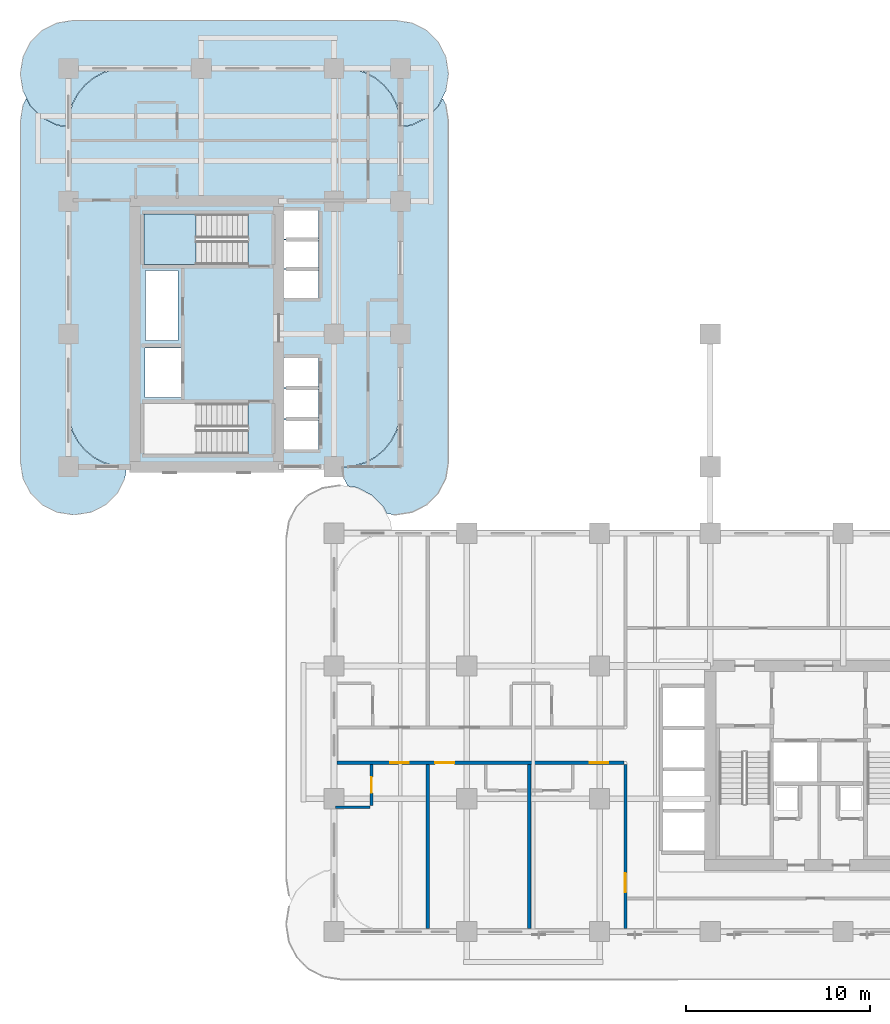
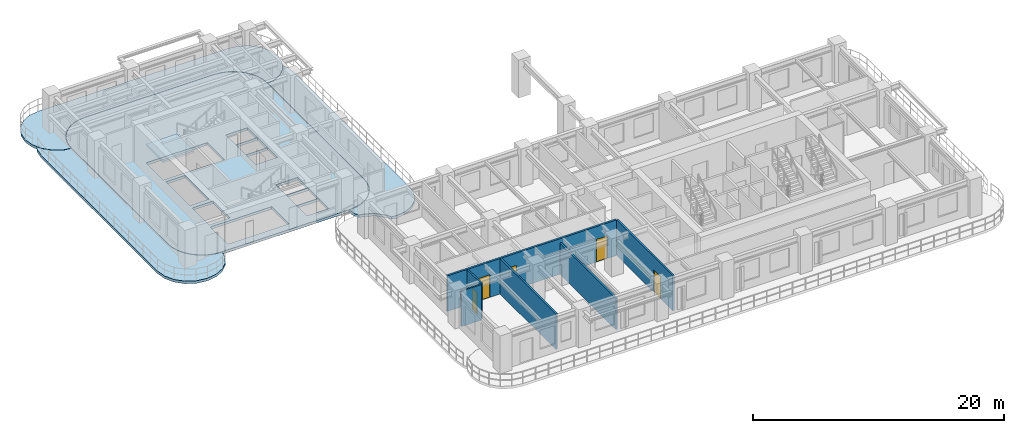
# One storey, part 6 of 19: 6 walls, 5 doors, 5 slabs, 5 openings, 1 element without a shape of its own.
"""IFC4 building model written with IfcOpenShell, lengths in metres."""

from ifc_helpers import new_model, si_unit, derived_unit, direction, frame, frame_2d, origin, place, context, subcontext, project, spatial, polyline, rectangle, outline, extrude, source, transform, mapped, material, layer, layer_set, type_object, type_shapes, element, fill, aggregate, save


model = new_model("IFC4")

# Units and contexts
model_context = context("Model", 3, precision=1e-05, world=origin(), true_north=direction((0.0, 1.0)))
body_context = subcontext(model_context, "Body", "Model", "MODEL_VIEW")
ifc_project = project(units=[si_unit("LENGTHUNIT", "METRE"), si_unit("AREAUNIT", "SQUARE_METRE"), si_unit("VOLUMEUNIT", "CUBIC_METRE"), si_unit("PLANEANGLEUNIT", "RADIAN"), si_unit("MASSUNIT", "GRAM", prefix="KILO"), si_unit("THERMODYNAMICTEMPERATUREUNIT", "KELVIN"), si_unit("POWERUNIT", "WATT"), derived_unit("THERMALTRANSMITTANCEUNIT", [(si_unit("POWERUNIT", "WATT"), 1), (si_unit("AREAUNIT", "SQUARE_METRE"), -1), (si_unit("THERMODYNAMICTEMPERATUREUNIT", "KELVIN"), -1)])], contexts=[model_context])

# Site, building, storey
site_placement = place(None, origin())
site = spatial("IfcSite", under=ifc_project, at=site_placement, CompositionType="ELEMENT")
building_placement = place(site_placement, origin())
building = spatial("IfcBuilding", under=site, at=building_placement, Name="Zahravan Archway Hotel and Residences", CompositionType="ELEMENT")
storey_placement = place(building_placement, frame((0.0, 0.0, 32.39990234375)))
storey = spatial("IfcBuildingStorey", under=building, at=storey_placement, Name="L06", CompositionType="ELEMENT", Elevation=32.39990234375)

# Slabs
ifc_material_1 = material(Name="Concrete C45/55", Category="concrete")
ifc_layer_1 = layer(ifc_material_1, 0.25, Name="Concrete C45/55", Category="concrete")
ifc_layer_set_1 = layer_set([ifc_layer_1], Name="Concrete C45/55")
slab_type_1 = type_object("IfcSlabType", Name="SLB-BALC-250", PredefinedType="FLOOR", material=ifc_layer_set_1)
slab_1_placement = place(storey_placement, frame((0.0, 0.0, -0.25)))
element("IfcSlab", 1, at=slab_1_placement, inside=storey, type_object=slab_type_1, Name="L06 Wing B North Rounded Balcony Band", PredefinedType="FLOOR", context=body_context, shape_type="SweptSolid", body=[
    extrude(outline(polyline([(-0.630615234375, 43.739501953125), (-1.42529296875, 44.144287109375), (-2.0556640625, 44.77490234375), (-2.46044921875, 45.5693359375), (-2.60009765625, 46.449951171875), (-2.60009765625, 46.550048828125), (-2.46044921875, 47.4306640625), (-2.0556640625, 48.22509765625), (-1.42529296875, 48.855712890625), (-0.630615234375, 49.260498046875), (0.25, 49.39990234375), (17.75, 49.39990234375), (18.630615234375, 49.260498046875), (19.42529296875, 48.855712890625), (20.0556640625, 48.22509765625), (20.46044921875, 47.4306640625), (20.60009765625, 46.550048828125), (20.60009765625, 46.449951171875), (20.46044921875, 45.5693359375), (20.0556640625, 44.77490234375), (19.42529296875, 44.144287109375), (18.630615234375, 43.739501953125), (18.02001953125, 43.642822265625), (18.02001953125, 43.699951171875), (18.02001953125, 43.701904296875), (17.960205078125, 44.306884765625), (17.9599609375, 44.30859375), (17.95947265625, 44.310546875), (17.783203125, 44.89208984375), (17.782470703125, 44.89404296875), (17.781494140625, 44.895751953125), (17.4951171875, 45.431640625), (17.494140625, 45.433349609375), (17.4931640625, 45.43505859375), (17.107421875, 45.90478515625), (17.106201171875, 45.906005859375), (17.104736328125, 45.907470703125), (16.635009765625, 46.293212890625), (16.63330078125, 46.294189453125), (16.631591796875, 46.295166015625), (16.095703125, 46.58154296875), (16.093994140625, 46.58251953125), (16.092041015625, 46.5830078125), (15.510498046875, 46.759521484375), (15.5087890625, 46.760009765625), (15.5068359375, 46.76025390625), (14.902099609375, 46.81982421875), (14.89990234375, 46.820068359375), (3.10009765625, 46.820068359375), (3.097900390625, 46.81982421875), (2.4931640625, 46.76025390625), (2.4912109375, 46.760009765625), (2.489501953125, 46.759521484375), (1.907958984375, 46.5830078125), (1.906005859375, 46.58251953125), (1.904296875, 46.58154296875), (1.368408203125, 46.295166015625), (1.36669921875, 46.294189453125), (1.364990234375, 46.293212890625), (0.895263671875, 45.907470703125), (0.893798828125, 45.906005859375), (0.892578125, 45.90478515625), (0.5068359375, 45.43505859375), (0.505859375, 45.433349609375), (0.5048828125, 45.431640625), (0.218505859375, 44.895751953125), (0.217529296875, 44.89404296875), (0.216796875, 44.89208984375), (0.04052734375, 44.310546875), (0.0400390625, 44.30859375), (0.039794921875, 44.306884765625), (-0.02001953125, 43.701904296875), (-0.02001953125, 43.699951171875), (-0.02001953125, 43.642822265625), (-0.630615234375, 43.739501953125)])), origin(), (0.0, 0.0, 1.0), 0.25),
])
slab_2_placement = place(storey_placement, frame((0.0, 0.0, -0.25)))
element("IfcSlab", 2, at=slab_2_placement, inside=storey, type_object=slab_type_1, Name="L06 Wing B West Rounded Balcony Band", PredefinedType="FLOOR", context=body_context, shape_type="SweptSolid", body=[
    extrude(outline(polyline([(3.060546875, 24.5693359375), (2.65576171875, 23.77490234375), (2.025146484375, 23.144287109375), (1.230712890625, 22.739501953125), (0.35009765625, 22.60009765625), (0.25, 22.60009765625), (-0.630615234375, 22.739501953125), (-1.42529296875, 23.144287109375), (-2.0556640625, 23.77490234375), (-2.46044921875, 24.5693359375), (-2.60009765625, 25.449951171875), (-2.60009765625, 43.949951171875), (-2.46044921875, 44.830810546875), (-2.28369140625, 45.177978515625), (-2.073486328125, 44.765625), (-2.072509765625, 44.763916015625), (-2.0712890625, 44.76220703125), (-2.06982421875, 44.7607421875), (-1.439208984375, 44.130126953125), (-1.437744140625, 44.12890625), (-1.43603515625, 44.12744140625), (-1.434326171875, 44.12646484375), (-0.639892578125, 43.7216796875), (-0.637939453125, 43.720703125), (-0.635986328125, 43.72021484375), (-0.6337890625, 43.7197265625), (-0.023193359375, 43.623046875), (-0.021240234375, 43.622802734375), (-0.02001953125, 43.622802734375), (-0.02001953125, 28.300048828125), (-0.02001953125, 28.298095703125), (0.039794921875, 27.693115234375), (0.0400390625, 27.69140625), (0.04052734375, 27.689453125), (0.216796875, 27.10791015625), (0.217529296875, 27.10595703125), (0.218505859375, 27.104248046875), (0.5048828125, 26.568359375), (0.505859375, 26.566650390625), (0.5068359375, 26.56494140625), (0.892578125, 26.09521484375), (0.893798828125, 26.093994140625), (0.895263671875, 26.092529296875), (1.364990234375, 25.706787109375), (1.36669921875, 25.705810546875), (1.368408203125, 25.704833984375), (1.904296875, 25.41845703125), (1.906005859375, 25.41748046875), (1.907958984375, 25.4169921875), (2.489501953125, 25.240478515625), (2.4912109375, 25.239990234375), (2.4931640625, 25.23974609375), (3.097900390625, 25.18017578125), (3.10009765625, 25.179931640625), (3.1572265625, 25.179931640625), (3.060546875, 24.5693359375)])), origin(), (0.0, 0.0, 1.0), 0.25),
])
slab_3_placement = place(storey_placement, frame((0.0, 0.0, -0.25)))
element("IfcSlab", 3, at=slab_3_placement, inside=storey, type_object=slab_type_1, Name="L06 Wing B East Rounded Balcony Band", PredefinedType="FLOOR", context=body_context, shape_type="SweptSolid", body=[
    extrude(outline(polyline([(20.46044921875, 44.830810546875), (20.60009765625, 43.949951171875), (20.60009765625, 25.449951171875), (20.46044921875, 24.5693359375), (20.0556640625, 23.77490234375), (19.42529296875, 23.144287109375), (18.630615234375, 22.739501953125), (17.75, 22.60009765625), (17.64990234375, 22.60009765625), (17.263671875, 22.6611328125), (17.073486328125, 23.0341796875), (17.072509765625, 23.0361328125), (17.0712890625, 23.037841796875), (17.06982421875, 23.039306640625), (16.439208984375, 23.669921875), (16.437744140625, 23.671142578125), (16.43603515625, 23.672607421875), (16.434326171875, 23.673583984375), (15.639892578125, 24.078369140625), (15.637939453125, 24.0791015625), (15.635986328125, 24.079833984375), (15.6337890625, 24.080322265625), (15.149658203125, 24.156982421875), (14.939453125, 24.5693359375), (14.8427734375, 25.179931640625), (14.89990234375, 25.179931640625), (14.902099609375, 25.18017578125), (15.5068359375, 25.23974609375), (15.5087890625, 25.239990234375), (15.510498046875, 25.240478515625), (16.092041015625, 25.4169921875), (16.093994140625, 25.41748046875), (16.095703125, 25.41845703125), (16.631591796875, 25.704833984375), (16.63330078125, 25.705810546875), (16.635009765625, 25.706787109375), (17.104736328125, 26.092529296875), (17.106201171875, 26.093994140625), (17.107421875, 26.09521484375), (17.4931640625, 26.56494140625), (17.494140625, 26.566650390625), (17.4951171875, 26.568359375), (17.781494140625, 27.104248046875), (17.782470703125, 27.10595703125), (17.783203125, 27.10791015625), (17.95947265625, 27.689453125), (17.9599609375, 27.69140625), (17.960205078125, 27.693115234375), (18.02001953125, 28.298095703125), (18.02001953125, 28.300048828125), (18.02001953125, 43.622802734375), (18.021240234375, 43.622802734375), (18.023193359375, 43.623046875), (18.6337890625, 43.7197265625), (18.635986328125, 43.72021484375), (18.637939453125, 43.720703125), (18.639892578125, 43.7216796875), (19.434326171875, 44.12646484375), (19.43603515625, 44.12744140625), (19.437744140625, 44.12890625), (19.439208984375, 44.130126953125), (20.06982421875, 44.7607421875), (20.0712890625, 44.76220703125), (20.072509765625, 44.763916015625), (20.073486328125, 44.765625), (20.28369140625, 45.177978515625), (20.46044921875, 44.830810546875)])), origin(), (0.0, 0.0, 1.0), 0.25),
])
ifc_layer_2 = layer(ifc_material_1, 0.25, Name="Concrete C45/55", Category="concrete")
ifc_layer_set_2 = layer_set([ifc_layer_2], Name="Concrete C45/55")
slab_type_2 = type_object("IfcSlabType", Name="SLB-FLR-250", PredefinedType="FLOOR", material=ifc_layer_set_2)
slab_4_placement = place(storey_placement, frame((0.0, 0.0, -0.25)))
element("IfcSlab", 4, at=slab_4_placement, inside=storey, type_object=slab_type_2, Name="L06 Floor Slab WB", PredefinedType="FLOOR", context=body_context, shape_type="SweptSolid", body=[
    extrude(outline(polyline([(14.89990234375, 25.199951171875), (15.5048828125, 25.259521484375), (16.086181640625, 25.43603515625), (16.622314453125, 25.722412109375), (17.092041015625, 26.10791015625), (17.4775390625, 26.57763671875), (17.763916015625, 27.11376953125), (17.9404296875, 27.6953125), (18.0, 28.300048828125), (18.0, 43.699951171875), (17.9404296875, 44.3046875), (17.763916015625, 44.88623046875), (17.4775390625, 45.42236328125), (17.092041015625, 45.89208984375), (16.622314453125, 46.277587890625), (16.086181640625, 46.56396484375), (15.5048828125, 46.740478515625), (14.89990234375, 46.800048828125), (3.10009765625, 46.800048828125), (2.4951171875, 46.740478515625), (1.913818359375, 46.56396484375), (1.377685546875, 46.277587890625), (0.907958984375, 45.89208984375), (0.5224609375, 45.42236328125), (0.236083984375, 44.88623046875), (0.0595703125, 44.3046875), (0.0, 43.699951171875), (0.0, 28.300048828125), (0.0595703125, 27.6953125), (0.236083984375, 27.11376953125), (0.5224609375, 26.57763671875), (0.907958984375, 26.10791015625), (1.377685546875, 25.722412109375), (1.913818359375, 25.43603515625), (2.4951171875, 25.259521484375), (3.10009765625, 25.199951171875), (14.89990234375, 25.199951171875)]), holes=[polyline([(9.72998046875, 28.639892578125), (4.10009765625, 28.639892578125), (4.10009765625, 25.89990234375), (9.72998046875, 25.89990234375), (9.72998046875, 28.639892578125)]), polyline([(9.72998046875, 38.89990234375), (4.10009765625, 38.89990234375), (4.10009765625, 36.159912109375), (9.72998046875, 36.159912109375), (9.72998046875, 38.89990234375)]), polyline([(4.14990234375, 28.949951171875), (6.10009765625, 28.949951171875), (6.10009765625, 31.64990234375), (4.14990234375, 31.64990234375), (4.14990234375, 28.949951171875)]), polyline([(11.550048828125, 26.14990234375), (13.550048828125, 26.14990234375), (13.550048828125, 27.75), (11.550048828125, 27.75), (11.550048828125, 26.14990234375)]), polyline([(11.550048828125, 27.830078125), (13.550048828125, 27.830078125), (13.550048828125, 29.429931640625), (11.550048828125, 29.429931640625), (11.550048828125, 27.830078125)]), polyline([(11.550048828125, 29.510009765625), (13.550048828125, 29.510009765625), (13.550048828125, 31.110107421875), (11.550048828125, 31.110107421875), (11.550048828125, 29.510009765625)]), polyline([(11.550048828125, 34.35009765625), (13.550048828125, 34.35009765625), (13.550048828125, 35.889892578125), (11.550048828125, 35.889892578125), (11.550048828125, 34.35009765625)]), polyline([(11.550048828125, 35.949951171875), (13.550048828125, 35.949951171875), (13.550048828125, 37.489990234375), (11.550048828125, 37.489990234375), (11.550048828125, 35.949951171875)]), polyline([(11.550048828125, 37.550048828125), (13.550048828125, 37.550048828125), (13.550048828125, 39.090087890625), (11.550048828125, 39.090087890625), (11.550048828125, 37.550048828125)]), polyline([(4.179931640625, 32.050048828125), (5.93994140625, 32.050048828125), (5.93994140625, 35.840087890625), (4.179931640625, 35.840087890625), (4.179931640625, 32.050048828125)])]), origin(), (0.0, 0.0, 1.0), 0.25),
])

# Stair, slab
ifc_material_2 = material(Name="Concrete C50/60", Category="concrete")
stair_type = type_object("IfcStairType", Name="STR-CORE-1300", PredefinedType="HALF_TURN_STAIR", material=ifc_material_2)
stair_placement = place(storey_placement, origin())
stair = element("IfcStair", 5, at=stair_placement, inside=storey, type_object=stair_type, Name="L06 Core B Exit Stair 2", PredefinedType="HALF_TURN_STAIR")
ifc_layer_3 = layer(ifc_material_2, 0.199951171875, Name="Concrete C50/60", Category="concrete")
ifc_layer_set_3 = layer_set([ifc_layer_3], Name="Concrete C50/60")
slab_type_3 = type_object("IfcSlabType", Name="SLB-LND-200", PredefinedType="LANDING", material=ifc_layer_set_3)
slab_5_placement = place(storey_placement, frame((0.0, 0.0, 1.650146484375)))
slab_5 = element("IfcSlab", 6, at=slab_5_placement, type_object=slab_type_3, Name="ST-B2 landing 1", PredefinedType="LANDING", context=body_context, shape_type="SweptSolid", body=[
    extrude(outline(polyline([(6.929931640625, 38.89990234375), (4.10009765625, 38.89990234375), (4.10009765625, 36.159912109375), (6.929931640625, 36.159912109375), (6.929931640625, 38.89990234375)])), origin(), (0.0, 0.0, 1.0), 0.199951171875),
])
aggregate(stair, [slab_5])

# Wall, opening, door
ifc_material_3 = material(Name="Fire-Rated Gypsum & Concrete Block", Category="concrete")
ifc_layer_4 = layer(ifc_material_3, 0.159912109375, Name="Fire-Rated Gypsum & Concrete Block", Category="concrete")
ifc_layer_set_4 = layer_set([ifc_layer_4], Name="Fire-Rated Gypsum & Concrete Block")
wall_type_1 = type_object("IfcWallType", Name="PW-CORR-160", PredefinedType="PARTITIONING", material=ifc_layer_set_4)
wall_1_placement = place(storey_placement, frame((30.199951171875, 0.16796875, 0.0), z_axis=(0.0, 0.0, 1.0), x_axis=(0.0, 1.0, 0.0)))
wall_1 = element("IfcWall", 7, at=wall_1_placement, inside=storey, type_object=wall_type_1, Name="L06 Partition WA-SRW", PredefinedType="PARTITIONING", context=body_context, shape_type="SweptSolid", body=[
    extrude(rectangle(XDim=8.89208984375, YDim=0.159912109375, at=frame_2d((4.446044921875, 0.0))), origin(), (0.0, 0.0, 1.0), 3.4501953125),
])
opening_1_placement = place(wall_1_placement, frame((1.95703125, 0.0, 0.0)))
opening_1 = element("IfcOpeningElement", 8, at=opening_1_placement, cuts=wall_1, Name="Opening FD-L2", PredefinedType="OPENING", context=body_context, shape_type="SweptSolid", body=[
    extrude(rectangle(XDim=1.050048828125, YDim=2.14990234375, at=frame_2d((0.52490234375, 1.074951171875))), frame((0.0, 0.08984375, 0.0), z_axis=(0.0, -1.0, 0.0), x_axis=(1.0, 0.0, 0.0)), (0.0, 0.0, 1.0), 0.179931640625),
])
ifc_material_4 = material(Name="Fire-Rated Painted Steel", Category="steel")
door_type_1 = type_object("IfcDoorType", Name="FD-LOBBY-1100", OperationType="NOTDEFINED", PredefinedType="DOOR", material=ifc_material_4)
shared_shape_1 = source(origin(), body_context, "Body", "SweptSolid", [
    extrude(rectangle(XDim=1.050048828125, YDim=2.14990234375, at=frame_2d((0.52490234375, 1.074951171875))), frame((0.0, 0.02490234375, 0.0), z_axis=(0.0, -1.0, 0.0), x_axis=(1.0, 0.0, 0.0)), (0.0, 0.0, 1.0), 0.050048828125),
])
type_shapes(door_type_1, [shared_shape_1])
door_1_placement = place(opening_1_placement, origin())
door_1 = element("IfcDoor", 9, at=door_1_placement, inside=storey, type_object=door_type_1, Name="L06 South Riser Corridor Door", OperationType="SINGLE_SWING_RIGHT", OverallHeight=2.14990234375, OverallWidth=1.050048828125, PredefinedType="DOOR", context=body_context, shape_type="MappedRepresentation", body=[
    mapped(shared_shape_1, transform((0.0, 0.0, 0.0), scale=1.0)),
])
fill(opening_1, door_1)

# Wall, openings, doors
ifc_layer_5 = layer(ifc_material_3, 0.179931640625, Name="Fire-Rated Gypsum & Concrete Block", Category="concrete")
ifc_layer_set_5 = layer_set([ifc_layer_5], Name="Fire-Rated Gypsum & Concrete Block")
wall_type_2 = type_object("IfcWallType", Name="PW-CORR-180", PredefinedType="PARTITIONING", material=ifc_layer_set_5)
wall_2_placement = place(storey_placement, frame((14.568115234375, 9.14990234375, 0.0), z_axis=(0.0, 0.0, 1.0), x_axis=(1.0, 0.0, 0.0)))
wall_2 = element("IfcWall", 10, at=wall_2_placement, inside=storey, type_object=wall_type_2, Name="L06 Partition WA-CS", PredefinedType="PARTITIONING", context=body_context, shape_type="SweptSolid", body=[
    extrude(rectangle(XDim=15.5419921875, YDim=0.179931640625, at=frame_2d((7.77099609375, 0.0))), origin(), (0.0, 0.0, 1.0), 3.4501953125),
])
opening_2_placement = place(wall_2_placement, frame((2.887939453125, 0.0, 0.0)))
opening_2 = element("IfcOpeningElement", 11, at=opening_2_placement, cuts=wall_2, Name="Opening D-U2", PredefinedType="OPENING", context=body_context, shape_type="SweptSolid", body=[
    extrude(rectangle(XDim=1.0, YDim=2.199951171875, at=frame_2d((0.5, 1.10009765625))), frame((0.0, 0.10009765625, 0.0), z_axis=(0.0, -1.0, 0.0), x_axis=(1.0, 0.0, 0.0)), (0.0, 0.0, 1.0), 0.199951171875),
])
opening_3_placement = place(wall_2_placement, frame((5.314453125, 0.0, 0.0)))
opening_3 = element("IfcOpeningElement", 12, at=opening_3_placement, cuts=wall_2, Name="Opening D-U1", PredefinedType="OPENING", context=body_context, shape_type="SweptSolid", body=[
    extrude(rectangle(XDim=1.050048828125, YDim=2.25, at=frame_2d((0.52490234375, 1.125))), frame((0.0, 0.10009765625, 0.0), z_axis=(0.0, -1.0, 0.0), x_axis=(1.0, 0.0, 0.0)), (0.0, 0.0, 1.0), 0.199951171875),
])
opening_4_placement = place(wall_2_placement, frame((13.699951171875, 0.0, 0.0)))
opening_4 = element("IfcOpeningElement", 13, at=opening_4_placement, cuts=wall_2, Name="Opening D-U2", PredefinedType="OPENING", context=body_context, shape_type="SweptSolid", body=[
    extrude(rectangle(XDim=1.0, YDim=2.199951171875, at=frame_2d((0.5, 1.10009765625))), frame((0.0, 0.10009765625, 0.0), z_axis=(0.0, -1.0, 0.0), x_axis=(1.0, 0.0, 0.0)), (0.0, 0.0, 1.0), 0.199951171875),
])
ifc_material_5 = material(Name="Hardwood Veneer Timber", Category="wood")
door_type_2 = type_object("IfcDoorType", Name="ID-UNIT-1050", OperationType="NOTDEFINED", PredefinedType="DOOR", material=ifc_material_5)
shared_shape_2 = source(origin(), body_context, "Body", "SweptSolid", [
    extrude(rectangle(XDim=1.050048828125, YDim=2.25, at=frame_2d((0.52490234375, 1.125))), frame((0.0, 0.02490234375, 0.0), z_axis=(0.0, -1.0, 0.0), x_axis=(1.0, 0.0, 0.0)), (0.0, 0.0, 1.0), 0.050048828125),
])
type_shapes(door_type_2, [shared_shape_2])
door_2_placement = place(opening_3_placement, origin())
door_2 = element("IfcDoor", 14, at=door_2_placement, inside=storey, type_object=door_type_2, Name="L06 Hotel Guestroom 2 Entrance Door", OperationType="SINGLE_SWING_LEFT", OverallHeight=2.25, OverallWidth=1.050048828125, PredefinedType="DOOR", context=body_context, shape_type="MappedRepresentation", body=[
    mapped(shared_shape_2, transform((0.0, 0.0, 0.0), scale=1.0)),
])
fill(opening_3, door_2)
door_type_3 = type_object("IfcDoorType", Name="ID-UNIT-1000", OperationType="NOTDEFINED", PredefinedType="DOOR", material=ifc_material_5)
shared_shape_3 = source(origin(), body_context, "Body", "SweptSolid", [
    extrude(rectangle(XDim=1.0, YDim=2.199951171875, at=frame_2d((0.5, 1.10009765625))), frame((0.0, 0.02490234375, 0.0), z_axis=(0.0, -1.0, 0.0), x_axis=(1.0, 0.0, 0.0)), (0.0, 0.0, 1.0), 0.050048828125),
])
type_shapes(door_type_3, [shared_shape_3])
door_3_placement = place(opening_2_placement, origin())
door_3 = element("IfcDoor", 15, at=door_3_placement, inside=storey, type_object=door_type_3, Name="L06 Hotel Guestroom 1 Entrance Door", OperationType="SINGLE_SWING_LEFT", OverallHeight=2.199951171875, OverallWidth=1.0, PredefinedType="DOOR", context=body_context, shape_type="MappedRepresentation", body=[
    mapped(shared_shape_3, transform((0.0, 0.0, 0.0), scale=1.0)),
])
fill(opening_2, door_3)
door_4_placement = place(opening_4_placement, origin())
door_4 = element("IfcDoor", 16, at=door_4_placement, inside=storey, type_object=door_type_3, Name="L06 Hotel Guestroom 3 Entrance Door", OperationType="SINGLE_SWING_LEFT", OverallHeight=2.199951171875, OverallWidth=1.0, PredefinedType="DOOR", context=body_context, shape_type="MappedRepresentation", body=[
    mapped(shared_shape_3, transform((0.0, 0.0, 0.0), scale=1.0)),
])
fill(opening_4, door_4)

# Walls
ifc_material_6 = material(Name="Acoustic Stud Partition")
ifc_layer_6 = layer(ifc_material_6, 0.169921875, Name="Acoustic Stud Partition")
ifc_layer_set_6 = layer_set([ifc_layer_6], Name="Acoustic Stud Partition")
wall_type_3 = type_object("IfcWallType", Name="PW-UNIT-170", PredefinedType="PARTITIONING", material=ifc_layer_set_6)
wall_3_placement = place(storey_placement, frame((19.47998046875, 0.16796875, 0.0), z_axis=(0.0, 0.0, 1.0), x_axis=(0.0, 1.0, 0.0)))
element("IfcWall", 17, at=wall_3_placement, inside=storey, type_object=wall_type_3, Name="L06 Partition WAS-0A", PredefinedType="PARTITIONING", context=body_context, shape_type="SweptSolid", body=[
    extrude(rectangle(XDim=8.89208984375, YDim=0.169921875, at=frame_2d((4.446044921875, 0.0))), origin(), (0.0, 0.0, 1.0), 3.4501953125),
])
wall_4_placement = place(storey_placement, frame((24.986083984375, 0.16796875, 0.0), z_axis=(0.0, 0.0, 1.0), x_axis=(0.0, 1.0, 0.0)))
element("IfcWall", 18, at=wall_4_placement, inside=storey, type_object=wall_type_3, Name="L06 Partition WAS-0B", PredefinedType="PARTITIONING", context=body_context, shape_type="SweptSolid", body=[
    extrude(rectangle(XDim=8.89208984375, YDim=0.169921875, at=frame_2d((4.446044921875, 0.0))), origin(), (0.0, 0.0, 1.0), 3.03515625),
])

# Wall, opening, door
ifc_material_7 = material(Name="Moisture-Resistant Blockwork", Category="masonry")
ifc_layer_7 = layer(ifc_material_7, 0.139892578125, Name="Moisture-Resistant Blockwork", Category="masonry")
ifc_layer_set_7 = layer_set([ifc_layer_7], Name="Moisture-Resistant Blockwork")
wall_type_4 = type_object("IfcWallType", Name="PW-WET-140", PredefinedType="PARTITIONING", material=ifc_layer_set_7)
wall_5_placement = place(storey_placement, frame((16.431884765625, 6.840087890625, 0.0), z_axis=(0.0, 0.0, 1.0), x_axis=(0.0, 1.0, 0.0)))
wall_5 = element("IfcWall", 19, at=wall_5_placement, inside=storey, type_object=wall_type_4, Name="L06 Partition HKB-V1", PredefinedType="PARTITIONING", context=body_context, shape_type="SweptSolid", body=[
    extrude(rectangle(XDim=2.219970703125, YDim=0.139892578125, at=frame_2d((1.10986328125, 0.0))), origin(), (0.0, 0.0, 1.0), 3.4501953125),
])
opening_5_placement = place(wall_5_placement, frame((0.68505859375, 0.0, 0.0)))
opening_5 = element("IfcOpeningElement", 20, at=opening_5_placement, cuts=wall_5, Name="Opening D-B1", PredefinedType="OPENING", context=body_context, shape_type="SweptSolid", body=[
    extrude(rectangle(XDim=0.85009765625, YDim=2.10009765625, at=frame_2d((0.425048828125, 1.050048828125))), frame((0.0, 0.080078125, 0.0), z_axis=(0.0, -1.0, 0.0), x_axis=(1.0, 0.0, 0.0)), (0.0, 0.0, 1.0), 0.159912109375),
])
door_type_4 = type_object("IfcDoorType", Name="ID-BATH-850", OperationType="NOTDEFINED", PredefinedType="DOOR", material=ifc_material_5)
shared_shape_4 = source(origin(), body_context, "Body", "SweptSolid", [
    extrude(rectangle(XDim=0.85009765625, YDim=2.10009765625, at=frame_2d((0.425048828125, 1.050048828125))), frame((0.0, 0.02490234375, 0.0), z_axis=(0.0, -1.0, 0.0), x_axis=(1.0, 0.0, 0.0)), (0.0, 0.0, 1.0), 0.050048828125),
])
type_shapes(door_type_4, [shared_shape_4])
door_5_placement = place(opening_5_placement, origin())
door_5 = element("IfcDoor", 21, at=door_5_placement, inside=storey, type_object=door_type_4, Name="L06 Guestroom 1 En-Suite Door", OperationType="SINGLE_SWING_RIGHT", OverallHeight=2.10009765625, OverallWidth=0.85009765625, PredefinedType="DOOR", context=body_context, shape_type="MappedRepresentation", body=[
    mapped(shared_shape_4, transform((0.0, 0.0, 0.0), scale=1.0)),
])
fill(opening_5, door_5)

# Wall
wall_6_placement = place(storey_placement, frame((14.489990234375, 6.75, 0.0), z_axis=(0.0, 0.0, 1.0), x_axis=(1.0, 0.0, 0.0)))
element("IfcWall", 22, at=wall_6_placement, inside=storey, type_object=wall_type_4, Name="L06 Partition HKB-H1", PredefinedType="PARTITIONING", context=body_context, shape_type="SweptSolid", body=[
    extrude(rectangle(XDim=1.85205078125, YDim=0.139892578125, at=frame_2d((0.926025390625, 0.0))), origin(), (0.0, 0.0, 1.0), 3.4501953125),
])

save(model, "model.ifc")
